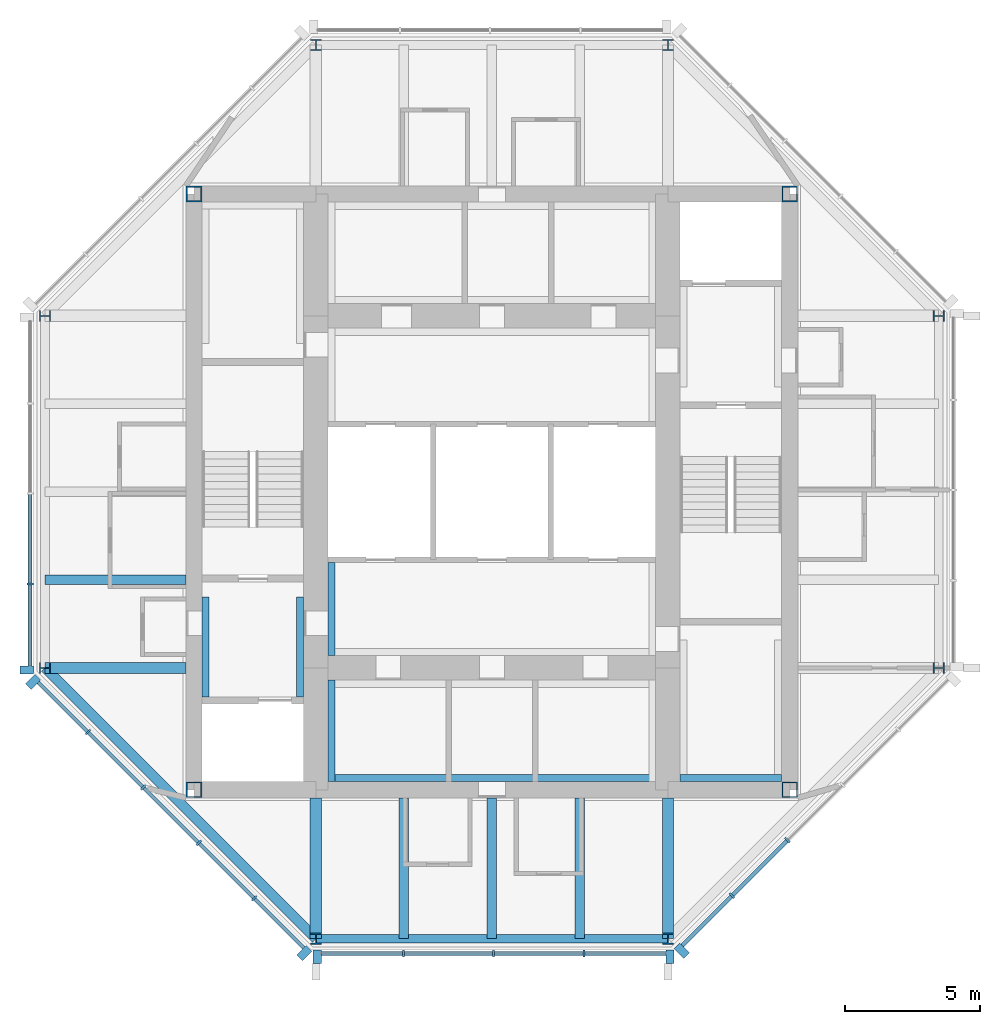
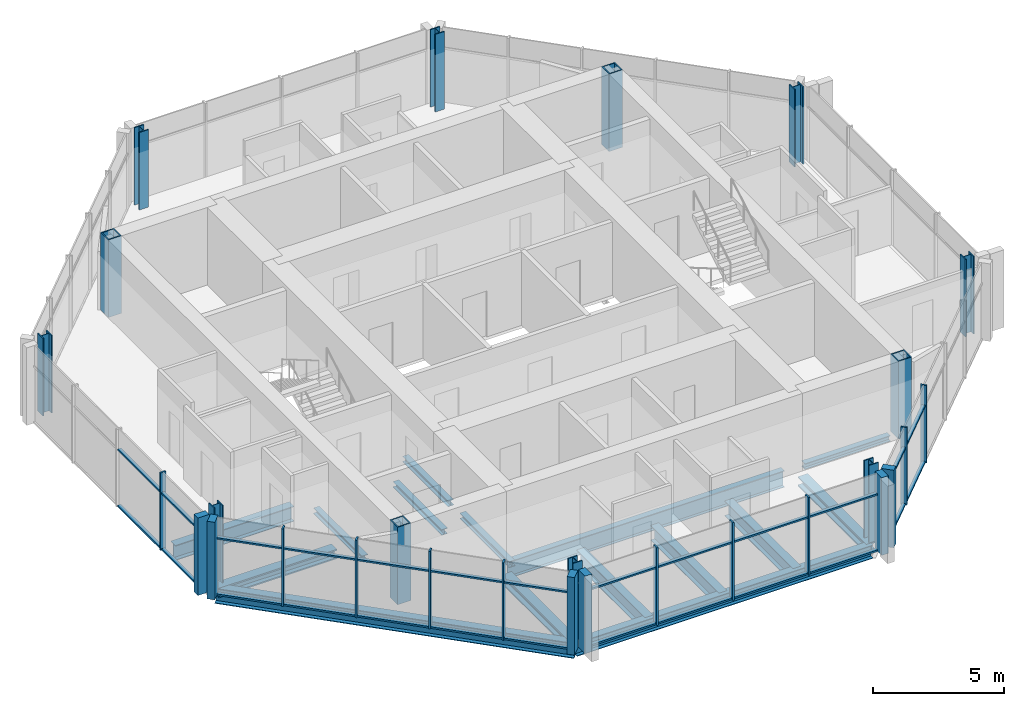
# One storey, part 1 of 8: 42 members, 15 beams, 12 columns, 4 elements without a shape of their own.
"""IFC4 building model written with IfcOpenShell, lengths in metres."""

from ifc_helpers import new_model, si_unit, direction, frame, origin, origin_2d, place, context, subcontext, project, spatial, rectangle, hollow_rectangle, i_section, extrude, material, material_profile, profile_set, type_object, element, aggregate, save


model = new_model("IFC4")

# Units and contexts
model_context = context("Model", 3, precision=1e-05, world=origin(), true_north=direction((0.0, 1.0)))
body_context = subcontext(model_context, "Body", "Model", "MODEL_VIEW")
ifc_project = project(units=[si_unit("LENGTHUNIT", "METRE"), si_unit("AREAUNIT", "SQUARE_METRE"), si_unit("VOLUMEUNIT", "CUBIC_METRE"), si_unit("PLANEANGLEUNIT", "RADIAN"), si_unit("MASSUNIT", "GRAM", prefix="KILO")], contexts=[model_context])

# Site, building, storey
site_placement = place(None, origin())
site = spatial("IfcSite", under=ifc_project, at=site_placement, CompositionType="ELEMENT")
building_placement = place(site_placement, origin())
building = spatial("IfcBuilding", under=site, at=building_placement, Name="Trevanion Tower", CompositionType="ELEMENT")
storey_placement = place(building_placement, frame((0.0, 0.0, 270.39990234375)))
storey = spatial("IfcBuildingStorey", under=building, at=storey_placement, Name="L66", CompositionType="ELEMENT", Elevation=270.39990234375)

# Columns
ifc_material_1 = material(Name="Steel ASTM A913 Grade 65", Category="steel")
ifc_material_profile_1 = material_profile(ifc_material_1, i_section(OverallWidth=0.406494140625, OverallDepth=0.41650390625, WebThickness=0.030029296875, FlangeThickness=0.048095703125, at=origin_2d()), Name="W14X257")
ifc_profile_set_1 = profile_set([ifc_material_profile_1], Name="Steel ASTM A913 Grade 65")
column_type_1 = type_object("IfcColumnType", Name="C6 W14X257", PredefinedType="COLUMN", material=ifc_profile_set_1)
for number, where, z_axis, x_axis, name in (
    (1, (-16.5, -6.5, 0.0), (0.0, 0.0, 1.0), (0.0, 1.0, 0.0), "C6 7/G L66"),
    (2, (-6.5, -16.5, 0.0), (0.0, 0.0, 1.0), (1.0, 0.0, 0.0), "C6 9/E L66"),
    (3, (6.5, -16.5, 0.0), (0.0, 0.0, 1.0), (1.0, 0.0, 0.0), "C6 11/E L66"),
    (4, (16.5, -6.5, 0.0), (0.0, 0.0, 1.0), (0.0, 1.0, 0.0), "C6 13/G L66"),
    (5, (16.5, 6.5, 0.0), (0.0, 0.0, 1.0), (0.0, 1.0, 0.0), "C6 13/J L66"),
    (6, (6.5, 16.5, 0.0), (0.0, 0.0, 1.0), (1.0, 0.0, 0.0), "C6 11/L L66"),
    (7, (-6.5, 16.5, 0.0), (0.0, 0.0, 1.0), (1.0, 0.0, 0.0), "C6 9/L L66"),
    (8, (-16.5, 6.5, 0.0), (0.0, 0.0, 1.0), (0.0, 1.0, 0.0), "C6 7/J L66"),
):
    element("IfcColumn", number, at=place(storey_placement, frame(where, z_axis=z_axis, x_axis=x_axis)), inside=storey, type_object=column_type_1, Name=name, PredefinedType="COLUMN", context=body_context, shape_type="SweptSolid", body=[
        extrude(i_section(OverallWidth=0.406494140625, OverallDepth=0.41650390625, WebThickness=0.030029296875, FlangeThickness=0.048095703125, at=origin_2d()), origin(), (0.0, 0.0, 1.0), 3.60009765625),
    ])
ifc_material_2 = material(Name="Steel ASTM A572 Grade 50", Category="steel")
ifc_material_profile_2 = material_profile(ifc_material_2, hollow_rectangle(XDim=0.584228515625, YDim=0.584228515625, WallThickness=0.05078125, at=origin_2d()), Name="BOX23X23X2")
ifc_profile_set_2 = profile_set([ifc_material_profile_2], Name="Steel ASTM A572 Grade 50")
column_type_2 = type_object("IfcColumnType", Name="CB1 BOX23X23X2", PredefinedType="COLUMN", material=ifc_profile_set_2)
for number, where, z_axis, x_axis, name in (
    (9, (11.0, 11.0, 0.0), (0.0, 0.0, 1.0), (1.0, 0.0, 0.0), "CB1 NE L66"),
    (10, (-11.0, 11.0, 0.0), (0.0, 0.0, 1.0), (1.0, 0.0, 0.0), "CB1 NW L66"),
    (11, (-11.0, -11.0, 0.0), (0.0, 0.0, 1.0), (1.0, 0.0, 0.0), "CB1 SW L66"),
    (12, (11.0, -11.0, 0.0), (0.0, 0.0, 1.0), (1.0, 0.0, 0.0), "CB1 SE L66"),
):
    element("IfcColumn", number, at=place(storey_placement, frame(where, z_axis=z_axis, x_axis=x_axis)), inside=storey, type_object=column_type_2, Name=name, PredefinedType="COLUMN", context=body_context, shape_type="SweptSolid", body=[
        extrude(hollow_rectangle(XDim=0.584228515625, YDim=0.584228515625, WallThickness=0.05078125, at=origin_2d()), origin(), (0.0, 0.0, 1.0), 3.60009765625),
    ])

# Beams
ifc_material_3 = material(Name="Steel ASTM A992 Grade 50", Category="steel")
ifc_material_profile_3 = material_profile(ifc_material_3, i_section(OverallWidth=0.355712890625, OverallDepth=0.700927734375, WebThickness=0.016845703125, FlangeThickness=0.02734375, at=origin_2d()), Name="W27X161")
ifc_profile_set_3 = profile_set([ifc_material_profile_3], Name="Steel ASTM A992 Grade 50")
beam_type_1 = type_object("IfcBeamType", Name="B15 W27X161", PredefinedType="BEAM", material=ifc_profile_set_3)
for number, where, z_axis, x_axis, name in (
    (13, (-11.300048828125, -3.25, -0.540283203125), (-1.0, 0.0, 0.0), (0.0, -1.0, 0.0), "B15 L66"),
    (14, (-3.25, -11.300048828125, -0.540283203125), (0.0, -1.0, 0.0), (1.0, 0.0, 0.0), "B15 L66"),
    (15, (0.0, -11.300048828125, -0.540283203125), (0.0, -1.0, 0.0), (1.0, 0.0, 0.0), "B15 L66"),
    (16, (3.25, -11.300048828125, -0.540283203125), (0.0, -1.0, 0.0), (1.0, 0.0, 0.0), "B15 L66"),
):
    element("IfcBeam", number, at=place(storey_placement, frame(where, z_axis=z_axis, x_axis=x_axis)), inside=storey, type_object=beam_type_1, Name=name, PredefinedType="BEAM", context=body_context, shape_type="SweptSolid", body=[
        extrude(i_section(OverallWidth=0.355712890625, OverallDepth=0.700927734375, WebThickness=0.016845703125, FlangeThickness=0.02734375, at=origin_2d()), origin(), (0.0, 0.0, 1.0), 5.199951171875),
    ])

# Curtain wall, member
ifc_material_4 = material(Name="Aluminium and glass", Category="aluminium")
curtain_wall_type = type_object("IfcCurtainWallType", Name="CW4 curtain wall", PredefinedType="USERDEFINED", material=ifc_material_4)
curtain_wall_1_placement = place(storey_placement, origin())
curtain_wall_1 = element("IfcCurtainWall", 17, at=curtain_wall_1_placement, inside=storey, type_object=curtain_wall_type, Name="CW4 L66 4", ObjectType="UNITISED CURTAIN WALL", PredefinedType="USERDEFINED")
ifc_material_5 = material(Name="Aluminium extrusion, anodised bronze", Category="aluminium")
ifc_material_profile_4 = material_profile(ifc_material_5, rectangle(XDim=0.074951171875, YDim=0.25, at=origin_2d()), Name="CW4 mullion")
ifc_profile_set_4 = profile_set([ifc_material_profile_4], Name="Aluminium extrusion, anodised bronze")
member_type_1 = type_object("IfcMemberType", Name="CW4 mullion", PredefinedType="MULLION", material=ifc_profile_set_4)
member_1_placement = place(storey_placement, frame((-17.050048828125, -3.396484375, -0.18994140625), z_axis=(0.0, 0.0, 1.0), x_axis=(0.0, -1.0, 0.0)))
member_1 = element("IfcMember", 18, at=member_1_placement, type_object=member_type_1, Name="CW4 mullion 4", PredefinedType="MULLION", context=body_context, shape_type="SweptSolid", body=[
    extrude(rectangle(XDim=0.074951171875, YDim=0.25, at=origin_2d()), origin(), (0.0, 0.0, 1.0), 3.60009765625),
])

# Curtain wall, members
curtain_wall_2_placement = place(storey_placement, origin())
curtain_wall_2 = element("IfcCurtainWall", 19, at=curtain_wall_2_placement, inside=storey, type_object=curtain_wall_type, Name="CW4 L66 5", ObjectType="UNITISED CURTAIN WALL", PredefinedType="USERDEFINED")
member_2_placement = place(storey_placement, frame((-14.912109375, -8.86572265625, -0.18994140625), z_axis=(0.0, 0.0, 1.0), x_axis=(0.707106781187, -0.707106781187, 0.0)))
member_2 = element("IfcMember", 20, at=member_2_placement, type_object=member_type_1, Name="CW4 mullion 2", PredefinedType="MULLION", context=body_context, shape_type="SweptSolid", body=[
    extrude(rectangle(XDim=0.074951171875, YDim=0.25, at=origin_2d()), origin(), (0.0, 0.0, 1.0), 3.60009765625),
])
member_3_placement = place(storey_placement, frame((-12.865966796875, -10.911865234375, -0.18994140625), z_axis=(0.0, 0.0, 1.0), x_axis=(0.707106781187, -0.707106781187, 0.0)))
member_3 = element("IfcMember", 21, at=member_3_placement, type_object=member_type_1, Name="CW4 mullion 3", PredefinedType="MULLION", context=body_context, shape_type="SweptSolid", body=[
    extrude(rectangle(XDim=0.074951171875, YDim=0.25, at=origin_2d()), origin(), (0.0, 0.0, 1.0), 3.60009765625),
])
member_4_placement = place(storey_placement, frame((-10.81982421875, -12.9580078125, -0.18994140625), z_axis=(0.0, 0.0, 1.0), x_axis=(0.707106781187, -0.707106781187, 0.0)))
member_4 = element("IfcMember", 22, at=member_4_placement, type_object=member_type_1, Name="CW4 mullion 4", PredefinedType="MULLION", context=body_context, shape_type="SweptSolid", body=[
    extrude(rectangle(XDim=0.074951171875, YDim=0.25, at=origin_2d()), origin(), (0.0, 0.0, 1.0), 3.60009765625),
])
member_5_placement = place(storey_placement, frame((-8.77392578125, -15.00390625, -0.18994140625), z_axis=(0.0, 0.0, 1.0), x_axis=(0.707106781187, -0.707106781187, 0.0)))
member_5 = element("IfcMember", 23, at=member_5_placement, type_object=member_type_1, Name="CW4 mullion 5", PredefinedType="MULLION", context=body_context, shape_type="SweptSolid", body=[
    extrude(rectangle(XDim=0.074951171875, YDim=0.25, at=origin_2d()), origin(), (0.0, 0.0, 1.0), 3.60009765625),
])

curtain_wall_3_placement = place(storey_placement, origin())
curtain_wall_3 = element("IfcCurtainWall", 24, at=curtain_wall_3_placement, inside=storey, type_object=curtain_wall_type, Name="CW4 L66 6", ObjectType="UNITISED CURTAIN WALL", PredefinedType="USERDEFINED")
member_6_placement = place(storey_placement, frame((-3.266357421875, -17.050048828125, -0.18994140625), z_axis=(0.0, 0.0, 1.0), x_axis=(1.0, 0.0, 0.0)))
member_6 = element("IfcMember", 25, at=member_6_placement, type_object=member_type_1, Name="CW4 mullion 2", PredefinedType="MULLION", context=body_context, shape_type="SweptSolid", body=[
    extrude(rectangle(XDim=0.074951171875, YDim=0.25, at=origin_2d()), origin(), (0.0, 0.0, 1.0), 3.60009765625),
])
member_7_placement = place(storey_placement, frame((0.06494140625, -17.050048828125, -0.18994140625), z_axis=(0.0, 0.0, 1.0), x_axis=(1.0, 0.0, 0.0)))
member_7 = element("IfcMember", 26, at=member_7_placement, type_object=member_type_1, Name="CW4 mullion 3", PredefinedType="MULLION", context=body_context, shape_type="SweptSolid", body=[
    extrude(rectangle(XDim=0.074951171875, YDim=0.25, at=origin_2d()), origin(), (0.0, 0.0, 1.0), 3.60009765625),
])
member_8_placement = place(storey_placement, frame((3.396484375, -17.050048828125, -0.18994140625), z_axis=(0.0, 0.0, 1.0), x_axis=(1.0, 0.0, 0.0)))
member_8 = element("IfcMember", 27, at=member_8_placement, type_object=member_type_1, Name="CW4 mullion 4", PredefinedType="MULLION", context=body_context, shape_type="SweptSolid", body=[
    extrude(rectangle(XDim=0.074951171875, YDim=0.25, at=origin_2d()), origin(), (0.0, 0.0, 1.0), 3.60009765625),
])

curtain_wall_4_placement = place(storey_placement, origin())
curtain_wall_4 = element("IfcCurtainWall", 28, at=curtain_wall_4_placement, inside=storey, type_object=curtain_wall_type, Name="CW4 L66 7", ObjectType="UNITISED CURTAIN WALL", PredefinedType="USERDEFINED")
member_9_placement = place(storey_placement, frame((8.86572265625, -14.912109375, -0.18994140625), z_axis=(0.0, 0.0, 1.0), x_axis=(0.707106781187, 0.707106781187, 0.0)))
member_9 = element("IfcMember", 29, at=member_9_placement, type_object=member_type_1, Name="CW4 mullion 2", PredefinedType="MULLION", context=body_context, shape_type="SweptSolid", body=[
    extrude(rectangle(XDim=0.074951171875, YDim=0.25, at=origin_2d()), origin(), (0.0, 0.0, 1.0), 3.60009765625),
])
member_10_placement = place(storey_placement, frame((10.911865234375, -12.865966796875, -0.18994140625), z_axis=(0.0, 0.0, 1.0), x_axis=(0.707106781187, 0.707106781187, 0.0)))
member_10 = element("IfcMember", 30, at=member_10_placement, type_object=member_type_1, Name="CW4 mullion 3", PredefinedType="MULLION", context=body_context, shape_type="SweptSolid", body=[
    extrude(rectangle(XDim=0.074951171875, YDim=0.25, at=origin_2d()), origin(), (0.0, 0.0, 1.0), 3.60009765625),
])

# Member
ifc_material_6 = material(Name="Aluminium extrusion, anodised bronze", Category="aluminium")
ifc_material_profile_5 = material_profile(ifc_material_6, rectangle(XDim=0.300048828125, YDim=0.5, at=origin_2d()), Name="CW4 pier mullion")
ifc_profile_set_5 = profile_set([ifc_material_profile_5], Name="Aluminium extrusion, anodised bronze")
member_type_2 = type_object("IfcMemberType", Name="CW4 pier mullion", PredefinedType="MULLION", material=ifc_profile_set_5)
member_11_placement = place(storey_placement, frame((-17.175048828125, -6.577880859375, -0.18994140625), z_axis=(0.0, 0.0, 1.0), x_axis=(0.0, -1.0, 0.0)))
member_11 = element("IfcMember", 31, at=member_11_placement, type_object=member_type_2, Name="CW4 pier mullion 5", PredefinedType="MULLION", context=body_context, shape_type="SweptSolid", body=[
    extrude(rectangle(XDim=0.300048828125, YDim=0.5, at=origin_2d()), origin(), (0.0, 0.0, 1.0), 3.60009765625),
])

member_12_placement = place(storey_placement, frame((-16.9404296875, -7.01416015625, -0.18994140625), z_axis=(0.0, 0.0, 1.0), x_axis=(0.707106781187, -0.707106781187, 0.0)))
member_12 = element("IfcMember", 32, at=member_12_placement, type_object=member_type_2, Name="CW4 pier mullion 1", PredefinedType="MULLION", context=body_context, shape_type="SweptSolid", body=[
    extrude(rectangle(XDim=0.300048828125, YDim=0.5, at=origin_2d()), origin(), (0.0, 0.0, 1.0), 3.60009765625),
])

member_13_placement = place(storey_placement, frame((-6.92236328125, -17.0322265625, -0.18994140625), z_axis=(0.0, 0.0, 1.0), x_axis=(0.707106781187, -0.707106781187, 0.0)))
member_13 = element("IfcMember", 33, at=member_13_placement, type_object=member_type_2, Name="CW4 pier mullion 6", PredefinedType="MULLION", context=body_context, shape_type="SweptSolid", body=[
    extrude(rectangle(XDim=0.300048828125, YDim=0.5, at=origin_2d()), origin(), (0.0, 0.0, 1.0), 3.60009765625),
])

member_14_placement = place(storey_placement, frame((-6.44775390625, -17.175048828125, -0.18994140625), z_axis=(0.0, 0.0, 1.0), x_axis=(1.0, 0.0, 0.0)))
member_14 = element("IfcMember", 34, at=member_14_placement, type_object=member_type_2, Name="CW4 pier mullion 1", PredefinedType="MULLION", context=body_context, shape_type="SweptSolid", body=[
    extrude(rectangle(XDim=0.300048828125, YDim=0.5, at=origin_2d()), origin(), (0.0, 0.0, 1.0), 3.60009765625),
])

member_15_placement = place(storey_placement, frame((6.577880859375, -17.175048828125, -0.18994140625), z_axis=(0.0, 0.0, 1.0), x_axis=(1.0, 0.0, 0.0)))
member_15 = element("IfcMember", 35, at=member_15_placement, type_object=member_type_2, Name="CW4 pier mullion 5", PredefinedType="MULLION", context=body_context, shape_type="SweptSolid", body=[
    extrude(rectangle(XDim=0.300048828125, YDim=0.5, at=origin_2d()), origin(), (0.0, 0.0, 1.0), 3.60009765625),
])

member_16_placement = place(storey_placement, frame((7.01416015625, -16.9404296875, -0.18994140625), z_axis=(0.0, 0.0, 1.0), x_axis=(0.707106781187, 0.707106781187, 0.0)))
member_16 = element("IfcMember", 36, at=member_16_placement, type_object=member_type_2, Name="CW4 pier mullion 1", PredefinedType="MULLION", context=body_context, shape_type="SweptSolid", body=[
    extrude(rectangle(XDim=0.300048828125, YDim=0.5, at=origin_2d()), origin(), (0.0, 0.0, 1.0), 3.60009765625),
])

ifc_material_7 = material(Name="Aluminium extrusion, anodised bronze", Category="aluminium")
ifc_material_profile_6 = material_profile(ifc_material_7, rectangle(XDim=0.14990234375, YDim=0.074951171875, at=origin_2d()), Name="CW4 transom")
ifc_profile_set_6 = profile_set([ifc_material_profile_6], Name="Aluminium extrusion, anodised bronze")
member_type_3 = type_object("IfcMemberType", Name="CW4 transom", PredefinedType="USERDEFINED", material=ifc_profile_set_6)
member_17_placement = place(storey_placement, frame((-17.050048828125, -0.1025390625, -0.15234375), z_axis=(0.0, -1.0, 0.0), x_axis=(1.0, 0.0, 0.0)))
member_17 = element("IfcMember", 37, at=member_17_placement, type_object=member_type_3, Name="CW4 transom 3.1", ObjectType="TRANSOM", PredefinedType="USERDEFINED", context=body_context, shape_type="SweptSolid", body=[
    extrude(rectangle(XDim=0.14990234375, YDim=0.074951171875, at=origin_2d()), origin(), (0.0, 0.0, 1.0), 3.25634765625),
])

member_18_placement = place(storey_placement, frame((-17.050048828125, -0.1025390625, 2.460205078125), z_axis=(0.0, -1.0, 0.0), x_axis=(1.0, 0.0, 0.0)))
member_18 = element("IfcMember", 38, at=member_18_placement, type_object=member_type_3, Name="CW4 transom 3.2", ObjectType="TRANSOM", PredefinedType="USERDEFINED", context=body_context, shape_type="SweptSolid", body=[
    extrude(rectangle(XDim=0.14990234375, YDim=0.074951171875, at=origin_2d()), origin(), (0.0, 0.0, 1.0), 3.25634765625),
])

member_19_placement = place(storey_placement, frame((-17.050048828125, -3.433837890625, -0.15234375), z_axis=(0.0, -1.0, 0.0), x_axis=(1.0, 0.0, 0.0)))
member_19 = element("IfcMember", 39, at=member_19_placement, type_object=member_type_3, Name="CW4 transom 4.1", ObjectType="TRANSOM", PredefinedType="USERDEFINED", context=body_context, shape_type="SweptSolid", body=[
    extrude(rectangle(XDim=0.14990234375, YDim=0.074951171875, at=origin_2d()), origin(), (0.0, 0.0, 1.0), 2.993896484375),
])

member_20_placement = place(storey_placement, frame((-17.050048828125, -3.433837890625, 2.460205078125), z_axis=(0.0, -1.0, 0.0), x_axis=(1.0, 0.0, 0.0)))
member_20 = element("IfcMember", 40, at=member_20_placement, type_object=member_type_3, Name="CW4 transom 4.2", ObjectType="TRANSOM", PredefinedType="USERDEFINED", context=body_context, shape_type="SweptSolid", body=[
    extrude(rectangle(XDim=0.14990234375, YDim=0.074951171875, at=origin_2d()), origin(), (0.0, 0.0, 1.0), 2.993896484375),
])

aggregate(curtain_wall_1, [member_1, member_11, member_17, member_18, member_19, member_20])

member_21_placement = place(storey_placement, frame((-16.745849609375, -7.031982421875, -0.15234375), z_axis=(0.707106781187, -0.707106781187, 0.0), x_axis=(0.707106781187, 0.707106781187, 0.0)))
member_21 = element("IfcMember", 41, at=member_21_placement, type_object=member_type_3, Name="CW4 transom 1.1", ObjectType="TRANSOM", PredefinedType="USERDEFINED", context=body_context, shape_type="SweptSolid", body=[
    extrude(rectangle(XDim=0.14990234375, YDim=0.074951171875, at=origin_2d()), origin(), (0.0, 0.0, 1.0), 2.555908203125),
])

member_22_placement = place(storey_placement, frame((-16.745849609375, -7.031982421875, 2.460205078125), z_axis=(0.707106781187, -0.707106781187, 0.0), x_axis=(0.707106781187, 0.707106781187, 0.0)))
member_22 = element("IfcMember", 42, at=member_22_placement, type_object=member_type_3, Name="CW4 transom 1.2", ObjectType="TRANSOM", PredefinedType="USERDEFINED", context=body_context, shape_type="SweptSolid", body=[
    extrude(rectangle(XDim=0.14990234375, YDim=0.074951171875, at=origin_2d()), origin(), (0.0, 0.0, 1.0), 2.555908203125),
])

member_23_placement = place(storey_placement, frame((-14.885498046875, -8.892333984375, -0.15234375), z_axis=(0.707106781187, -0.707106781187, 0.0), x_axis=(0.707106781187, 0.707106781187, 0.0)))
member_23 = element("IfcMember", 43, at=member_23_placement, type_object=member_type_3, Name="CW4 transom 2.1", ObjectType="TRANSOM", PredefinedType="USERDEFINED", context=body_context, shape_type="SweptSolid", body=[
    extrude(rectangle(XDim=0.14990234375, YDim=0.074951171875, at=origin_2d()), origin(), (0.0, 0.0, 1.0), 2.818359375),
])

member_24_placement = place(storey_placement, frame((-14.885498046875, -8.892333984375, 2.460205078125), z_axis=(0.707106781187, -0.707106781187, 0.0), x_axis=(0.707106781187, 0.707106781187, 0.0)))
member_24 = element("IfcMember", 44, at=member_24_placement, type_object=member_type_3, Name="CW4 transom 2.2", ObjectType="TRANSOM", PredefinedType="USERDEFINED", context=body_context, shape_type="SweptSolid", body=[
    extrude(rectangle(XDim=0.14990234375, YDim=0.074951171875, at=origin_2d()), origin(), (0.0, 0.0, 1.0), 2.818359375),
])

member_25_placement = place(storey_placement, frame((-12.839599609375, -10.9384765625, -0.15234375), z_axis=(0.707150088905, -0.707063470815, 0.0), x_axis=(0.707063470815, 0.707150088905, 0.0)))
member_25 = element("IfcMember", 45, at=member_25_placement, type_object=member_type_3, Name="CW4 transom 3.1", ObjectType="TRANSOM", PredefinedType="USERDEFINED", context=body_context, shape_type="SweptSolid", body=[
    extrude(rectangle(XDim=0.14990234375, YDim=0.074951171875, at=origin_2d()), origin(), (0.0, 0.0, 1.0), 2.818603515625),
])

member_26_placement = place(storey_placement, frame((-12.839599609375, -10.9384765625, 2.460205078125), z_axis=(0.707150088905, -0.707063470815, 0.0), x_axis=(0.707063470815, 0.707150088905, 0.0)))
member_26 = element("IfcMember", 46, at=member_26_placement, type_object=member_type_3, Name="CW4 transom 3.2", ObjectType="TRANSOM", PredefinedType="USERDEFINED", context=body_context, shape_type="SweptSolid", body=[
    extrude(rectangle(XDim=0.14990234375, YDim=0.074951171875, at=origin_2d()), origin(), (0.0, 0.0, 1.0), 2.818603515625),
])

member_27_placement = place(storey_placement, frame((-10.79345703125, -12.984375, -0.15234375), z_axis=(0.707150088905, -0.707063470815, 0.0), x_axis=(0.707063470815, 0.707150088905, 0.0)))
member_27 = element("IfcMember", 47, at=member_27_placement, type_object=member_type_3, Name="CW4 transom 4.1", ObjectType="TRANSOM", PredefinedType="USERDEFINED", context=body_context, shape_type="SweptSolid", body=[
    extrude(rectangle(XDim=0.14990234375, YDim=0.074951171875, at=origin_2d()), origin(), (0.0, 0.0, 1.0), 2.818603515625),
])

member_28_placement = place(storey_placement, frame((-10.79345703125, -12.984375, 2.460205078125), z_axis=(0.707150088905, -0.707063470815, 0.0), x_axis=(0.707063470815, 0.707150088905, 0.0)))
member_28 = element("IfcMember", 48, at=member_28_placement, type_object=member_type_3, Name="CW4 transom 4.2", ObjectType="TRANSOM", PredefinedType="USERDEFINED", context=body_context, shape_type="SweptSolid", body=[
    extrude(rectangle(XDim=0.14990234375, YDim=0.074951171875, at=origin_2d()), origin(), (0.0, 0.0, 1.0), 2.818603515625),
])

member_29_placement = place(storey_placement, frame((-8.747314453125, -15.030517578125, -0.15234375), z_axis=(0.707106781187, -0.707106781187, 0.0), x_axis=(0.707106781187, 0.707106781187, 0.0)))
member_29 = element("IfcMember", 49, at=member_29_placement, type_object=member_type_3, Name="CW4 transom 5.1", ObjectType="TRANSOM", PredefinedType="USERDEFINED", context=body_context, shape_type="SweptSolid", body=[
    extrude(rectangle(XDim=0.14990234375, YDim=0.074951171875, at=origin_2d()), origin(), (0.0, 0.0, 1.0), 2.555908203125),
])

member_30_placement = place(storey_placement, frame((-8.747314453125, -15.030517578125, 2.460205078125), z_axis=(0.707106781187, -0.707106781187, 0.0), x_axis=(0.707106781187, 0.707106781187, 0.0)))
member_30 = element("IfcMember", 50, at=member_30_placement, type_object=member_type_3, Name="CW4 transom 5.2", ObjectType="TRANSOM", PredefinedType="USERDEFINED", context=body_context, shape_type="SweptSolid", body=[
    extrude(rectangle(XDim=0.14990234375, YDim=0.074951171875, at=origin_2d()), origin(), (0.0, 0.0, 1.0), 2.555908203125),
])

aggregate(curtain_wall_2, [member_12, member_2, member_3, member_4, member_5, member_13, member_21, member_22, member_23, member_24, member_25, member_26, member_27, member_28, member_29, member_30])

member_31_placement = place(storey_placement, frame((-6.2978515625, -17.050048828125, -0.15234375), z_axis=(1.0, 0.0, 0.0), x_axis=(0.0, 1.0, 0.0)))
member_31 = element("IfcMember", 51, at=member_31_placement, type_object=member_type_3, Name="CW4 transom 1.1", ObjectType="TRANSOM", PredefinedType="USERDEFINED", context=body_context, shape_type="SweptSolid", body=[
    extrude(rectangle(XDim=0.14990234375, YDim=0.074951171875, at=origin_2d()), origin(), (0.0, 0.0, 1.0), 2.993896484375),
])

member_32_placement = place(storey_placement, frame((-6.2978515625, -17.050048828125, 2.460205078125), z_axis=(1.0, 0.0, 0.0), x_axis=(0.0, 1.0, 0.0)))
member_32 = element("IfcMember", 52, at=member_32_placement, type_object=member_type_3, Name="CW4 transom 1.2", ObjectType="TRANSOM", PredefinedType="USERDEFINED", context=body_context, shape_type="SweptSolid", body=[
    extrude(rectangle(XDim=0.14990234375, YDim=0.074951171875, at=origin_2d()), origin(), (0.0, 0.0, 1.0), 2.993896484375),
])

member_33_placement = place(storey_placement, frame((-3.22900390625, -17.050048828125, -0.15234375), z_axis=(1.0, 0.0, 0.0), x_axis=(0.0, 1.0, 0.0)))
member_33 = element("IfcMember", 53, at=member_33_placement, type_object=member_type_3, Name="CW4 transom 2.1", ObjectType="TRANSOM", PredefinedType="USERDEFINED", context=body_context, shape_type="SweptSolid", body=[
    extrude(rectangle(XDim=0.14990234375, YDim=0.074951171875, at=origin_2d()), origin(), (0.0, 0.0, 1.0), 3.256591796875),
])

member_34_placement = place(storey_placement, frame((-3.22900390625, -17.050048828125, 2.460205078125), z_axis=(1.0, 0.0, 0.0), x_axis=(0.0, 1.0, 0.0)))
member_34 = element("IfcMember", 54, at=member_34_placement, type_object=member_type_3, Name="CW4 transom 2.2", ObjectType="TRANSOM", PredefinedType="USERDEFINED", context=body_context, shape_type="SweptSolid", body=[
    extrude(rectangle(XDim=0.14990234375, YDim=0.074951171875, at=origin_2d()), origin(), (0.0, 0.0, 1.0), 3.256591796875),
])

member_35_placement = place(storey_placement, frame((0.1025390625, -17.050048828125, -0.15234375), z_axis=(1.0, 0.0, 0.0), x_axis=(0.0, 1.0, 0.0)))
member_35 = element("IfcMember", 55, at=member_35_placement, type_object=member_type_3, Name="CW4 transom 3.1", ObjectType="TRANSOM", PredefinedType="USERDEFINED", context=body_context, shape_type="SweptSolid", body=[
    extrude(rectangle(XDim=0.14990234375, YDim=0.074951171875, at=origin_2d()), origin(), (0.0, 0.0, 1.0), 3.25634765625),
])

member_36_placement = place(storey_placement, frame((0.1025390625, -17.050048828125, 2.460205078125), z_axis=(1.0, 0.0, 0.0), x_axis=(0.0, 1.0, 0.0)))
member_36 = element("IfcMember", 56, at=member_36_placement, type_object=member_type_3, Name="CW4 transom 3.2", ObjectType="TRANSOM", PredefinedType="USERDEFINED", context=body_context, shape_type="SweptSolid", body=[
    extrude(rectangle(XDim=0.14990234375, YDim=0.074951171875, at=origin_2d()), origin(), (0.0, 0.0, 1.0), 3.25634765625),
])

member_37_placement = place(storey_placement, frame((3.433837890625, -17.050048828125, -0.15234375), z_axis=(1.0, 0.0, 0.0), x_axis=(0.0, 1.0, 0.0)))
member_37 = element("IfcMember", 57, at=member_37_placement, type_object=member_type_3, Name="CW4 transom 4.1", ObjectType="TRANSOM", PredefinedType="USERDEFINED", context=body_context, shape_type="SweptSolid", body=[
    extrude(rectangle(XDim=0.14990234375, YDim=0.074951171875, at=origin_2d()), origin(), (0.0, 0.0, 1.0), 2.993896484375),
])

member_38_placement = place(storey_placement, frame((3.433837890625, -17.050048828125, 2.460205078125), z_axis=(1.0, 0.0, 0.0), x_axis=(0.0, 1.0, 0.0)))
member_38 = element("IfcMember", 58, at=member_38_placement, type_object=member_type_3, Name="CW4 transom 4.2", ObjectType="TRANSOM", PredefinedType="USERDEFINED", context=body_context, shape_type="SweptSolid", body=[
    extrude(rectangle(XDim=0.14990234375, YDim=0.074951171875, at=origin_2d()), origin(), (0.0, 0.0, 1.0), 2.993896484375),
])

aggregate(curtain_wall_3, [member_14, member_6, member_7, member_8, member_15, member_31, member_32, member_33, member_34, member_35, member_36, member_37, member_38])

member_39_placement = place(storey_placement, frame((7.031982421875, -16.745849609375, -0.15234375), z_axis=(0.707106781187, 0.707106781187, 0.0), x_axis=(-0.707106781187, 0.707106781187, 0.0)))
member_39 = element("IfcMember", 59, at=member_39_placement, type_object=member_type_3, Name="CW4 transom 1.1", ObjectType="TRANSOM", PredefinedType="USERDEFINED", context=body_context, shape_type="SweptSolid", body=[
    extrude(rectangle(XDim=0.14990234375, YDim=0.074951171875, at=origin_2d()), origin(), (0.0, 0.0, 1.0), 2.555908203125),
])

member_40_placement = place(storey_placement, frame((7.031982421875, -16.745849609375, 2.460205078125), z_axis=(0.707106781187, 0.707106781187, 0.0), x_axis=(-0.707106781187, 0.707106781187, 0.0)))
member_40 = element("IfcMember", 60, at=member_40_placement, type_object=member_type_3, Name="CW4 transom 1.2", ObjectType="TRANSOM", PredefinedType="USERDEFINED", context=body_context, shape_type="SweptSolid", body=[
    extrude(rectangle(XDim=0.14990234375, YDim=0.074951171875, at=origin_2d()), origin(), (0.0, 0.0, 1.0), 2.555908203125),
])

member_41_placement = place(storey_placement, frame((8.892333984375, -14.885498046875, -0.15234375), z_axis=(0.707106781187, 0.707106781187, 0.0), x_axis=(-0.707106781187, 0.707106781187, 0.0)))
member_41 = element("IfcMember", 61, at=member_41_placement, type_object=member_type_3, Name="CW4 transom 2.1", ObjectType="TRANSOM", PredefinedType="USERDEFINED", context=body_context, shape_type="SweptSolid", body=[
    extrude(rectangle(XDim=0.14990234375, YDim=0.074951171875, at=origin_2d()), origin(), (0.0, 0.0, 1.0), 2.818359375),
])

member_42_placement = place(storey_placement, frame((8.892333984375, -14.885498046875, 2.460205078125), z_axis=(0.707106781187, 0.707106781187, 0.0), x_axis=(-0.707106781187, 0.707106781187, 0.0)))
member_42 = element("IfcMember", 62, at=member_42_placement, type_object=member_type_3, Name="CW4 transom 2.2", ObjectType="TRANSOM", PredefinedType="USERDEFINED", context=body_context, shape_type="SweptSolid", body=[
    extrude(rectangle(XDim=0.14990234375, YDim=0.074951171875, at=origin_2d()), origin(), (0.0, 0.0, 1.0), 2.818359375),
])

aggregate(curtain_wall_4, [member_16, member_9, member_10, member_39, member_40, member_41, member_42])

# Beams
ifc_material_8 = material(Name="Steel ASTM A992 Grade 50", Category="steel")
ifc_material_profile_7 = material_profile(ifc_material_8, i_section(OverallWidth=0.41650390625, OverallDepth=0.444580078125, WebThickness=0.0390625, FlangeThickness=0.062744140625, at=origin_2d()), Name="W14X342")
ifc_profile_set_7 = profile_set([ifc_material_profile_7], Name="Steel ASTM A992 Grade 50")
beam_type_2 = type_object("IfcBeamType", Name="G8 W14X342", PredefinedType="BEAM", material=ifc_profile_set_7)
for number, where, z_axis, x_axis, name in (
    (63, (-11.300048828125, -6.5, -0.412109375), (-1.0, 0.0, 0.0), (0.0, -1.0, 0.0), "G8 L66"),
    (64, (-6.5, -11.300048828125, -0.412109375), (0.0, -1.0, 0.0), (1.0, 0.0, 0.0), "G8 L66"),
    (65, (6.5, -11.300048828125, -0.412109375), (0.0, -1.0, 0.0), (1.0, 0.0, 0.0), "G8 L66"),
):
    element("IfcBeam", number, at=place(storey_placement, frame(where, z_axis=z_axis, x_axis=x_axis)), inside=storey, type_object=beam_type_2, Name=name, PredefinedType="BEAM", context=body_context, shape_type="SweptSolid", body=[
        extrude(i_section(OverallWidth=0.41650390625, OverallDepth=0.444580078125, WebThickness=0.0390625, FlangeThickness=0.062744140625, at=origin_2d()), origin(), (0.0, 0.0, 1.0), 5.199951171875),
    ])
ifc_material_9 = material(Name="Steel ASTM A992 Grade 50", Category="steel")
ifc_material_profile_8 = material_profile(ifc_material_9, i_section(OverallWidth=0.256591796875, OverallDepth=0.26416015625, WebThickness=0.011962890625, FlangeThickness=0.01953125, at=origin_2d()), Name="W10X68")
ifc_profile_set_8 = profile_set([ifc_material_profile_8], Name="Steel ASTM A992 Grade 50")
beam_type_3 = type_object("IfcBeamType", Name="LB1 W10X68", PredefinedType="BEAM", material=ifc_profile_set_8)
beam_1_placement = place(storey_placement, frame((-5.921630859375, -6.050048828125, -0.33203125), z_axis=(0.0, 1.0, 0.0), x_axis=(-1.0, 0.0, 0.0)))
element("IfcBeam", 66, at=beam_1_placement, inside=storey, type_object=beam_type_3, Name="LB1 L66", PredefinedType="BEAM", context=body_context, shape_type="SweptSolid", body=[
    extrude(i_section(OverallWidth=0.256591796875, OverallDepth=0.26416015625, WebThickness=0.011962890625, FlangeThickness=0.01953125, at=origin_2d()), origin(), (0.0, 0.0, 1.0), 3.449951171875),
])
for number, where, z_axis, x_axis, name in (
    (67, (-10.57177734375, -7.574951171875, -0.33203125), (0.0, 1.0, 0.0), (-1.0, 0.0, 0.0), "LB1 L66"),
    (68, (-7.078369140625, -7.574951171875, -0.33203125), (0.0, 1.0, 0.0), (-1.0, 0.0, 0.0), "LB1 L66"),
):
    element("IfcBeam", number, at=place(storey_placement, frame(where, z_axis=z_axis, x_axis=x_axis)), inside=storey, type_object=beam_type_3, Name=name, PredefinedType="BEAM", context=body_context, shape_type="SweptSolid", body=[
        extrude(i_section(OverallWidth=0.256591796875, OverallDepth=0.26416015625, WebThickness=0.011962890625, FlangeThickness=0.01953125, at=origin_2d()), origin(), (0.0, 0.0, 1.0), 3.699951171875),
    ])
for number, where, z_axis, x_axis, name in (
    (69, (6.949951171875, -10.57177734375, -0.33203125), (1.0, 0.0, 0.0), (0.0, 1.0, 0.0), "LB1 L66"),
    (70, (-5.921630859375, -10.699951171875, -0.33203125), (0.0, 1.0, 0.0), (-1.0, 0.0, 0.0), "LB1 L66"),
):
    element("IfcBeam", number, at=place(storey_placement, frame(where, z_axis=z_axis, x_axis=x_axis)), inside=storey, type_object=beam_type_3, Name=name, PredefinedType="BEAM", context=body_context, shape_type="SweptSolid", body=[
        extrude(i_section(OverallWidth=0.256591796875, OverallDepth=0.26416015625, WebThickness=0.011962890625, FlangeThickness=0.01953125, at=origin_2d()), origin(), (0.0, 0.0, 1.0), 3.75),
    ])
ifc_material_10 = material(Name="Steel ASTM A992 Grade 50", Category="steel")
ifc_material_profile_9 = material_profile(ifc_material_10, i_section(OverallWidth=0.2666015625, OverallDepth=0.76953125, WebThickness=0.015625, FlangeThickness=0.025390625, at=origin_2d()), Name="W30X132")
ifc_profile_set_9 = profile_set([ifc_material_profile_9], Name="Steel ASTM A992 Grade 50")
beam_type_4 = type_object("IfcBeamType", Name="LB3 W30X132", PredefinedType="BEAM", material=ifc_profile_set_9)
beam_2_placement = place(storey_placement, frame((-6.050048828125, -10.566650390625, -0.584716796875), z_axis=(1.0, 0.0, 0.0), x_axis=(0.0, 1.0, 0.0)))
element("IfcBeam", 71, at=beam_2_placement, inside=storey, type_object=beam_type_4, Name="LB3 L66", PredefinedType="BEAM", context=body_context, shape_type="SweptSolid", body=[
    extrude(i_section(OverallWidth=0.2666015625, OverallDepth=0.76953125, WebThickness=0.015625, FlangeThickness=0.025390625, at=origin_2d()), origin(), (0.0, 0.0, 1.0), 12.10009765625),
])
ifc_material_11 = material(Name="Steel ASTM A992 Grade 50", Category="steel")
ifc_material_profile_10 = material_profile(ifc_material_11, i_section(OverallWidth=0.32763671875, OverallDepth=0.622314453125, WebThickness=0.015380859375, FlangeThickness=0.0244140625, at=origin_2d()), Name="W24X131")
ifc_profile_set_10 = profile_set([ifc_material_profile_10], Name="Steel ASTM A992 Grade 50")
beam_type_5 = type_object("IfcBeamType", Name="SB12 W24X131", PredefinedType="SPANDREL", material=ifc_profile_set_10)
beam_3_placement = place(storey_placement, frame((-6.5, -16.5, -0.501220703125), z_axis=(1.0, 0.0, 0.0), x_axis=(0.0, 1.0, 0.0)))
element("IfcBeam", 72, at=beam_3_placement, inside=storey, type_object=beam_type_5, Name="SB12 L66", PredefinedType="SPANDREL", context=body_context, shape_type="SweptSolid", body=[
    extrude(i_section(OverallWidth=0.32763671875, OverallDepth=0.622314453125, WebThickness=0.015380859375, FlangeThickness=0.0244140625, at=origin_2d()), origin(), (0.0, 0.0, 1.0), 13.0),
])
ifc_material_12 = material(Name="Steel ASTM A992 Grade 50", Category="steel")
ifc_material_profile_11 = material_profile(ifc_material_12, i_section(OverallWidth=0.358154296875, OverallDepth=0.7060546875, WebThickness=0.018310546875, FlangeThickness=0.0302734375, at=origin_2d()), Name="W27X178")
ifc_profile_set_11 = profile_set([ifc_material_profile_11], Name="Steel ASTM A992 Grade 50")
beam_type_6 = type_object("IfcBeamType", Name="SB13 W27X178", PredefinedType="SPANDREL", material=ifc_profile_set_11)
beam_4_placement = place(storey_placement, frame((-16.5, -6.5, -0.54296875), z_axis=(0.707106781187, -0.707106781187, 0.0), x_axis=(0.707106781187, 0.707106781187, 0.0)))
element("IfcBeam", 73, at=beam_4_placement, inside=storey, type_object=beam_type_6, Name="SB13 L66", PredefinedType="SPANDREL", context=body_context, shape_type="SweptSolid", body=[
    extrude(i_section(OverallWidth=0.358154296875, OverallDepth=0.7060546875, WebThickness=0.018310546875, FlangeThickness=0.0302734375, at=origin_2d()), origin(), (0.0, 0.0, 1.0), 14.14208984375),
])

save(model, "model.ifc")
